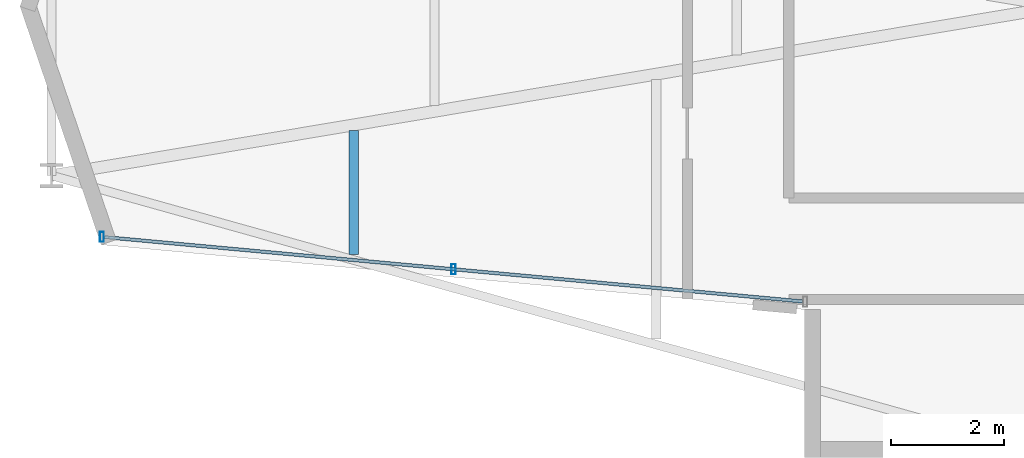
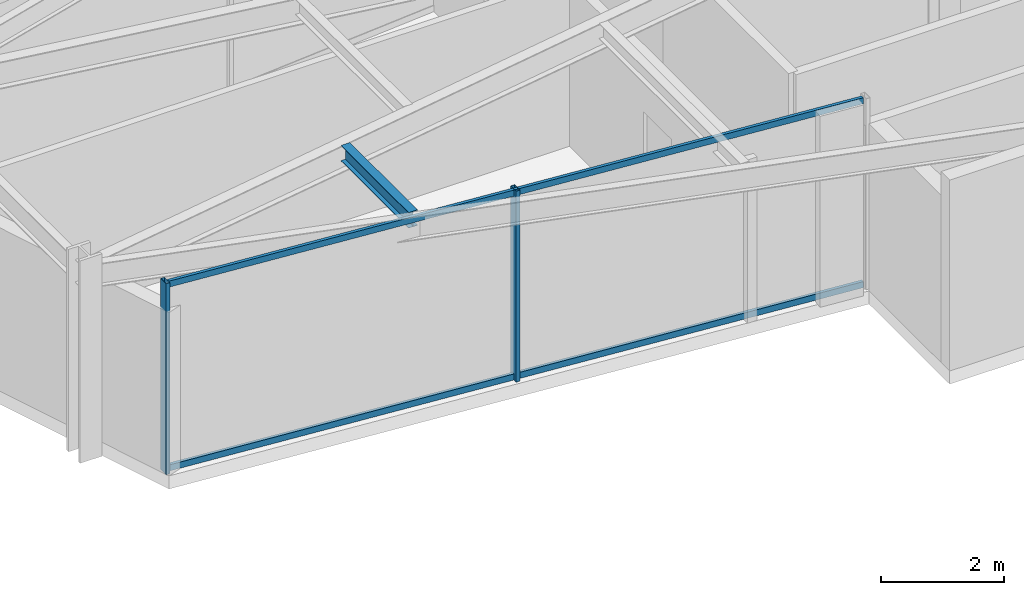
# One storey, part 2 of 22: 4 members, 1 beam, 1 element without a shape of its own.
"""IFC4 building model written with IfcOpenShell, lengths in metres."""

import ifcopenshell
import ifcopenshell.guid

model = None  # the IFC model being written
_history = None  # IfcOwnerHistory: only IFC2X3 demands one
_inside = {}  # id of a spatial element -> (the spatial element, [elements in it])
_under = {}  # id of a project, library or spatial element -> (it, [spatial elements below it])
_declared = {}  # id of a project -> (the project, [libraries it declares])
_typed = {}  # id of a type object -> (the type object, [elements of that type])
_made_of = {}  # id of a material, layer set ... -> (it, [elements and type objects made of it])


def new_model(schema):
    """Start an empty IFC model of exactly this schema.

    Asked for "IFC4X3", IfcOpenShell would pick the latest addendum, in which some entities
    have other attributes; the version numbers below select the first issue.
    IFC2X3 requires an IfcOwnerHistory on every rooted entity: one is made here for all.
    """
    global model, _history
    if schema == "IFC4X3":
        model = ifcopenshell.file(schema_version=(4, 3, 0, 0))
    else:
        model = ifcopenshell.file(schema=schema)
    _inside.clear()
    _under.clear()
    _declared.clear()
    _typed.clear()
    _made_of.clear()
    _history = None
    if model.schema == "IFC2X3":
        org = make("IfcOrganization", Name="unknown")
        user = make(
            "IfcPersonAndOrganization",
            ThePerson=make("IfcPerson", FamilyName="unknown"),
            TheOrganization=org,
        )
        app = make(
            "IfcApplication",
            ApplicationDeveloper=org,
            Version="unknown",
            ApplicationFullName="unknown",
            ApplicationIdentifier="unknown",
        )
        _history = make(
            "IfcOwnerHistory",
            OwningUser=user,
            OwningApplication=app,
            ChangeAction="ADDED",
            CreationDate=0,
        )
    return model


def make(cls, **values):
    """One entity of the class cls with the attributes given. An attribute that is None is left unset."""
    return model.create_entity(
        cls, **{name: value for name, value in values.items() if value is not None}
    )


def rooted(cls, **values):
    """An entity with a GlobalId (a new one), such as an element, a storey or a relation."""
    return make(cls, GlobalId=ifcopenshell.guid.new(), OwnerHistory=_history, **values)


def si_unit(unit_type, name, prefix=None):
    """IfcSIUnit, for example si_unit("LENGTHUNIT", "METRE", prefix="MILLI")."""
    return make("IfcSIUnit", UnitType=unit_type, Prefix=prefix, Name=name)


def assignment(units):
    """IfcUnitAssignment: the units of a project."""
    return None if units is None else make("IfcUnitAssignment", Units=units)


def point(xyz):
    """IfcCartesianPoint."""
    return None if xyz is None else make("IfcCartesianPoint", Coordinates=xyz)


def direction(xyz):
    """IfcDirection."""
    return None if xyz is None else make("IfcDirection", DirectionRatios=xyz)


def frame(location, z_axis=None, x_axis=None):
    """IfcAxis2Placement3D, a coordinate frame: its origin and axes. An axis left out is left unset."""
    return make(
        "IfcAxis2Placement3D",
        Location=point(location),
        Axis=direction(z_axis),
        RefDirection=direction(x_axis),
    )


def frame_2d(location, x_axis=None):
    """IfcAxis2Placement2D, a coordinate frame in the plane: its origin and x axis."""
    return make(
        "IfcAxis2Placement2D", Location=point(location), RefDirection=direction(x_axis)
    )


def origin():
    """The frame at (0, 0, 0) with its axes left unset."""
    return frame((0.0, 0.0, 0.0))


def origin_2d():
    """The frame at (0, 0) in the plane with its x axis left unset."""
    return frame_2d((0.0, 0.0))


def place(relative_to, where):
    """IfcLocalPlacement: puts the frame where relative to a parent placement (None: the world)."""
    return make(
        "IfcLocalPlacement", PlacementRelTo=relative_to, RelativePlacement=where
    )


def context(
    kind, dimensions, precision=None, world=None, true_north=None, identifier=None
):
    """IfcGeometricRepresentationContext, for example the 3D "Model" context."""
    return make(
        "IfcGeometricRepresentationContext",
        ContextIdentifier=identifier,
        ContextType=kind,
        CoordinateSpaceDimension=dimensions,
        Precision=precision,
        WorldCoordinateSystem=world,
        TrueNorth=true_north,
    )


def subcontext(parent, identifier, kind, view, scale=None):
    """IfcGeometricRepresentationSubContext, for example "Body" below "Model"."""
    return make(
        "IfcGeometricRepresentationSubContext",
        ContextIdentifier=identifier,
        ContextType=kind,
        ParentContext=parent,
        TargetScale=scale,
        TargetView=view,
    )


def project(units=None, contexts=None):
    """IfcProject with its units and contexts."""
    return rooted(
        "IfcProject",
        Name="project",
        RepresentationContexts=contexts,
        UnitsInContext=assignment(units),
    )


def spatial(cls, under=None, at=None, **own):
    """A site, building, storey or space (cls), placed at a placement, below another one or the project."""
    s = rooted(cls, ObjectPlacement=at, **own)
    if under is not None:
        _under.setdefault(under.id(), (under, []))[1].append(s)
    return s


def profile(cls, at=None, kind="AREA", **sizes):
    """A parametric profile (cls). Its sizes go by their IFC names, for example OverallWidth=200.0."""
    return make(cls, ProfileType=kind, Position=at, **sizes)


def hollow_rectangle(**sizes):
    """IfcRectangleHollowProfileDef."""
    return profile("IfcRectangleHollowProfileDef", **sizes)


def i_section(**sizes):
    """IfcIShapeProfileDef."""
    return profile("IfcIShapeProfileDef", **sizes)


def extrude(swept, where, along, depth):
    """IfcExtrudedAreaSolid: the profile swept, set in the frame where, extruded along a direction by depth."""
    return make(
        "IfcExtrudedAreaSolid",
        SweptArea=swept,
        Position=where,
        ExtrudedDirection=direction(along),
        Depth=depth,
    )


def shape(context_of_items, identifier, shape_type, items):
    """IfcShapeRepresentation: the items that make up one representation, for example the "Body"."""
    return make(
        "IfcShapeRepresentation",
        ContextOfItems=context_of_items,
        RepresentationIdentifier=identifier,
        RepresentationType=shape_type,
        Items=items,
    )


def material(Name=None, Category=None):
    """IfcMaterial."""
    return make("IfcMaterial", Name=Name, Category=Category)


def layer(
    of_material, thickness, ventilated=None, Name=None, Category=None, Priority=None
):
    """IfcMaterialLayer: one layer of a wall or slab, of a material (None: an air gap)."""
    return make(
        "IfcMaterialLayer",
        Material=of_material,
        LayerThickness=thickness,
        IsVentilated=ventilated,
        Name=Name,
        Category=Category,
        Priority=Priority,
    )


def layer_set(layers, Name=None):
    """IfcMaterialLayerSet."""
    return make("IfcMaterialLayerSet", MaterialLayers=layers, LayerSetName=Name)


def material_profile(
    of_material, cross_section, Name=None, Category=None, Priority=None
):
    """IfcMaterialProfile: a cross section and its material."""
    return make(
        "IfcMaterialProfile",
        Name=Name,
        Material=of_material,
        Profile=cross_section,
        Priority=Priority,
        Category=Category,
    )


def profile_set(profiles, Name=None, composite=None):
    """IfcMaterialProfileSet."""
    return make(
        "IfcMaterialProfileSet",
        Name=Name,
        MaterialProfiles=profiles,
        CompositeProfile=composite,
    )


def made_of(thing, what):
    """Note that an element or type object is made of a material, layer set ...; save() writes the relation."""
    if what is not None:
        _made_of.setdefault(what.id(), (what, []))[1].append(thing)
    return thing


def type_object(cls, material=None, **own):
    """A type object (cls), such as IfcWallType, which elements share."""
    return made_of(rooted(cls, **own), material)


def element(
    cls,
    number,
    at=None,
    inside=None,
    cuts=None,
    type_object=None,
    material=None,
    context=None,
    identifier="Body",
    shape_type=None,
    held_by="IfcProductDefinitionShape",
    body=None,
    shapes=None,
    **own,
):
    """One element of the class cls, such as IfcWall. Its Tag is "e" and its number.

    at: its placement. inside: the storey or other place that contains it. cuts: it is an
    opening in that element (IfcRelVoidsElement). A single representation is given by context,
    identifier, shape_type and body (its items); several are given by shapes. held_by: the class
    of the entity that holds the representations. save() writes the other relations.
    """
    e = rooted(cls, Tag="e%d" % number, ObjectPlacement=at, **own)
    if body is not None:
        shapes = [shape(context, identifier, shape_type, body)]
    if shapes is not None:
        e.Representation = make(held_by, Representations=shapes)
    if inside is not None:
        _inside.setdefault(inside.id(), (inside, []))[1].append(e)
    if cuts is not None:
        rooted(
            "IfcRelVoidsElement", RelatingBuildingElement=cuts, RelatedOpeningElement=e
        )
    if type_object is not None:
        _typed.setdefault(type_object.id(), (type_object, []))[1].append(e)
    return made_of(e, material)


def aggregate(whole, parts):
    """IfcRelAggregates: a whole, such as a stair, and the parts it consists of."""
    return rooted("IfcRelAggregates", RelatingObject=whole, RelatedObjects=parts)


def save(model, path):
    """Write the relations noted so far, then the file.

    IfcRelAggregates (storeys below a building ...), IfcRelContainedInSpatialStructure (elements
    in a storey), IfcRelDefinesByType, IfcRelAssociatesMaterial and IfcRelDeclares: one each for
    every whole, place, type object, material and project.
    """
    for whole, parts in _under.values():
        aggregate(whole, parts)
    for where, things in _inside.values():
        rooted(
            "IfcRelContainedInSpatialStructure",
            RelatedElements=things,
            RelatingStructure=where,
        )
    for kind, things in _typed.values():
        rooted("IfcRelDefinesByType", RelatedObjects=things, RelatingType=kind)
    for what, things in _made_of.values():
        rooted("IfcRelAssociatesMaterial", RelatedObjects=things, RelatingMaterial=what)
    for by, libraries in _declared.values():
        rooted("IfcRelDeclares", RelatingContext=by, RelatedDefinitions=libraries)
    model.write(path)


model = new_model("IFC4")

# Units and contexts
model_context = context("Model", 3, precision=1e-05, world=origin(), true_north=direction((0.0, 1.0)))
body_context = subcontext(model_context, "Body", "Model", "MODEL_VIEW")
ifc_project = project(units=[si_unit("LENGTHUNIT", "METRE"), si_unit("AREAUNIT", "SQUARE_METRE"), si_unit("VOLUMEUNIT", "CUBIC_METRE"), si_unit("PLANEANGLEUNIT", "RADIAN"), si_unit("MASSUNIT", "GRAM", prefix="KILO")], contexts=[model_context])

# Site, building, storey
site_placement = place(None, origin())
site = spatial("IfcSite", under=ifc_project, at=site_placement, CompositionType="ELEMENT")
building_placement = place(site_placement, origin())
building = spatial("IfcBuilding", under=site, at=building_placement, Name="Veymaron Broadcast Tower", CompositionType="ELEMENT")
storey_placement = place(building_placement, frame((0.0, 0.0, 208.050048828125)))
storey = spatial("IfcBuildingStorey", under=building, at=storey_placement, Name="L48", CompositionType="ELEMENT", Elevation=208.050048828125)

# Beam
ifc_material_1 = material(Name="Structural steel ASTM A992 Gr 50", Category="steel")
ifc_material_profile_1 = material_profile(ifc_material_1, i_section(OverallWidth=0.1650390625, OverallDepth=0.31005859375, WebThickness=0.005859375, FlangeThickness=0.009765625, at=origin_2d()), Name="W310X39")
ifc_profile_set_1 = profile_set([ifc_material_profile_1], Name="Structural steel ASTM A992 Gr 50")
beam_type = type_object("IfcBeamType", Name="BM-JS3", PredefinedType="JOIST", material=ifc_profile_set_1)
beam_placement = place(storey_placement, frame((18.68408203125, 19.60009765625, 3.635009765625), z_axis=(0.0, 1.0, 0.0), x_axis=(-1.0, 0.0, 0.0)))
element("IfcBeam", 1, at=beam_placement, inside=storey, type_object=beam_type, Name="L48 Arm-A secondary joist 1S", PredefinedType="JOIST", context=body_context, shape_type="SweptSolid", body=[
    extrude(i_section(OverallWidth=0.1650390625, OverallDepth=0.31005859375, WebThickness=0.005859375, FlangeThickness=0.009765625, at=origin_2d()), origin(), (0.0, 0.0, 1.0), 2.199951171875),
])

# Curtain wall, members
ifc_material_2 = material(Name="Anodised aluminium AA 6063-T6 and laminated low-E dark glass", Category="aluminium")
ifc_layer = layer(ifc_material_2, 0.179931640625)
ifc_layer_set = layer_set([ifc_layer], Name="Anodised aluminium AA 6063-T6 and laminated low-E dark glass")
curtain_wall_type = type_object("IfcCurtainWallType", Name="CW-SYS-05", PredefinedType="NOTDEFINED", material=ifc_layer_set)
curtain_wall_placement = place(storey_placement, origin())
curtain_wall = element("IfcCurtainWall", 2, at=curtain_wall_placement, inside=storey, type_object=curtain_wall_type, Name="L48 dark-glass curtain wall CW-L48-E14-1", PredefinedType="NOTDEFINED")
ifc_material_3 = material(Name="Anodised aluminium AA 6063-T6", Category="aluminium")
ifc_material_profile_2 = material_profile(ifc_material_3, hollow_rectangle(XDim=0.074951171875, YDim=0.179931640625, WallThickness=0.0048828125, at=origin_2d()), Name="AL180X75X5")
ifc_profile_set_2 = profile_set([ifc_material_profile_2], Name="Anodised aluminium AA 6063-T6")
member_type_1 = type_object("IfcMemberType", Name="CW-MUL-02", PredefinedType="MULLION", material=ifc_profile_set_2)
member_1_placement = place(storey_placement, frame((14.212890625, 19.912353515625, 0.0), z_axis=(0.0, 0.0, 1.0), x_axis=(1.0, 0.0, 0.0)))
member_1 = element("IfcMember", 3, at=member_1_placement, type_object=member_type_1, Name="CW-L48-E14-1 mullion 0", PredefinedType="MULLION", context=body_context, shape_type="SweptSolid", body=[
    extrude(hollow_rectangle(XDim=0.074951171875, YDim=0.179931640625, WallThickness=0.0048828125, at=origin_2d()), origin(), (0.0, 0.0, 1.0), 3.7900390625),
])
member_2_placement = place(storey_placement, frame((20.452880859375, 19.3369140625, 0.0), z_axis=(0.0, 0.0, 1.0), x_axis=(1.0, 0.0, 0.0)))
member_2 = element("IfcMember", 4, at=member_2_placement, type_object=member_type_1, Name="CW-L48-E14-1 mullion 1", PredefinedType="MULLION", context=body_context, shape_type="SweptSolid", body=[
    extrude(hollow_rectangle(XDim=0.074951171875, YDim=0.179931640625, WallThickness=0.0048828125, at=origin_2d()), origin(), (0.0, 0.0, 1.0), 3.7900390625),
])
ifc_material_profile_3 = material_profile(ifc_material_3, hollow_rectangle(XDim=0.06005859375, YDim=0.1201171875, WallThickness=0.00390625, at=origin_2d()), Name="AL120X60X4")
ifc_profile_set_3 = profile_set([ifc_material_profile_3], Name="Anodised aluminium AA 6063-T6")
member_type_2 = type_object("IfcMemberType", Name="CW-TRN-02", PredefinedType="USERDEFINED", material=ifc_profile_set_3)
member_3_placement = place(storey_placement, frame((14.2626953125, 19.90771484375, 0.070068359375), z_axis=(0.995777317913, -0.091801596554, 0.0), x_axis=(0.091801596554, 0.995777317913, 0.0)))
member_3 = element("IfcMember", 5, at=member_3_placement, type_object=member_type_2, Name="CW-L48-E14-1 transom B", ObjectType="TRANSOM", PredefinedType="USERDEFINED", context=body_context, shape_type="SweptSolid", body=[
    extrude(hollow_rectangle(XDim=0.06005859375, YDim=0.1201171875, WallThickness=0.00390625, at=origin_2d()), origin(), (0.0, 0.0, 1.0), 12.432861328125),
])
member_4_placement = place(storey_placement, frame((14.2626953125, 19.90771484375, 3.719970703125), z_axis=(0.995777317913, -0.091801596554, 0.0), x_axis=(0.091801596554, 0.995777317913, 0.0)))
member_4 = element("IfcMember", 6, at=member_4_placement, type_object=member_type_2, Name="CW-L48-E14-1 transom T", ObjectType="TRANSOM", PredefinedType="USERDEFINED", context=body_context, shape_type="SweptSolid", body=[
    extrude(hollow_rectangle(XDim=0.06005859375, YDim=0.1201171875, WallThickness=0.00390625, at=origin_2d()), origin(), (0.0, 0.0, 1.0), 12.432861328125),
])
aggregate(curtain_wall, [member_1, member_2, member_3, member_4])

save(model, "model.ifc")
